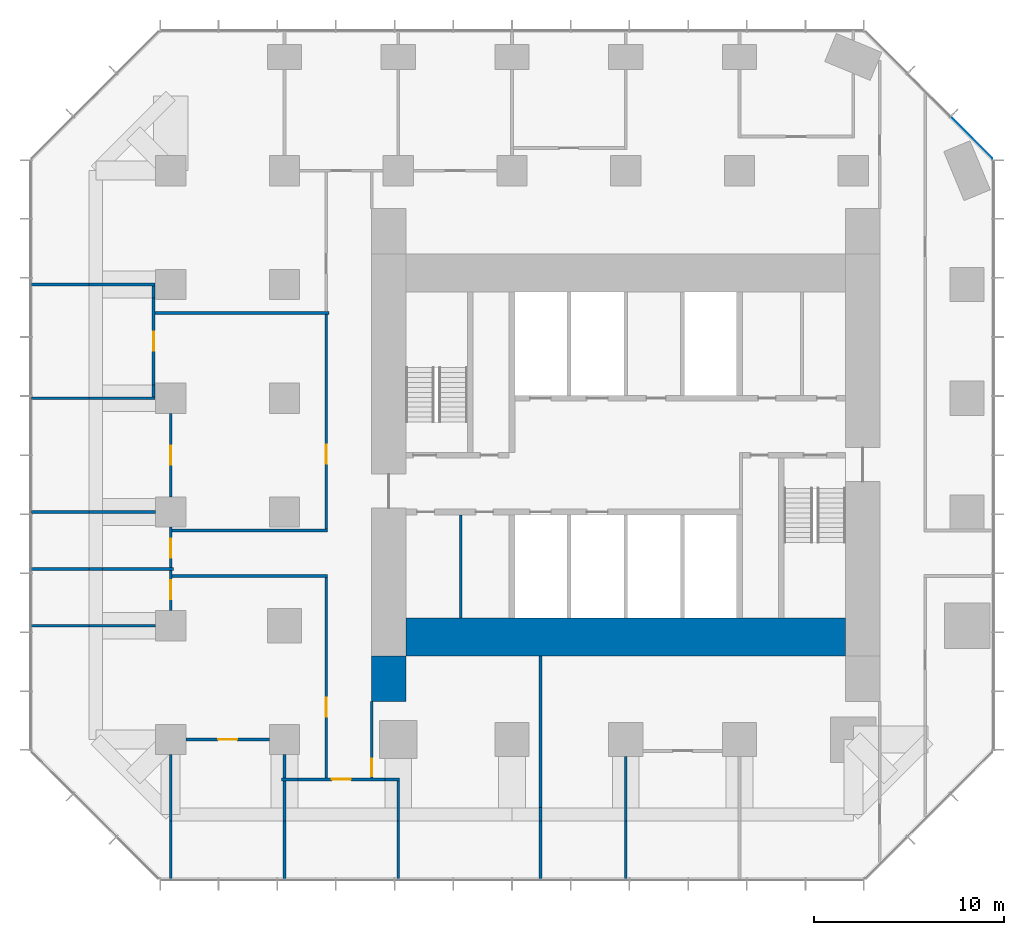
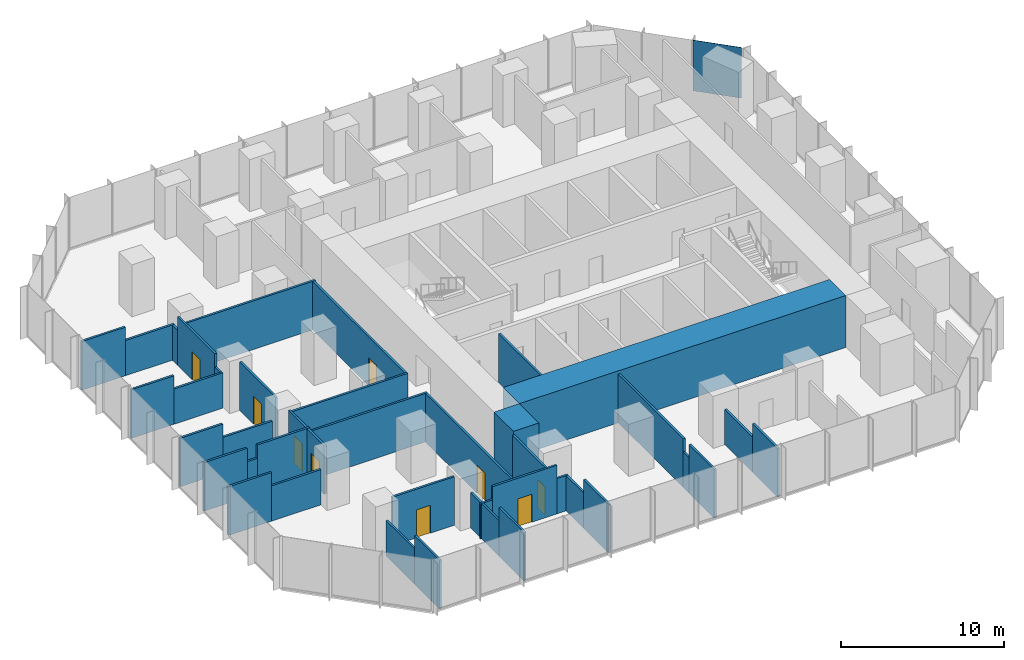
# One storey, part 8 of 11: 42 walls, 9 doors, 1 plate, 9 openings, 1 element without a shape of its own.
"""IFC4 building model written with IfcOpenShell, lengths in metres."""

from ifc_helpers import new_model, si_unit, direction, frame, frame_2d, origin, origin_2d, place, context, subcontext, project, spatial, rectangle, extrude, material, layer, layer_set, type_object, element, fill, aggregate, save


model = new_model("IFC4")

# Units and contexts
model_context = context("Model", 3, precision=1e-05, world=origin(), true_north=direction((0.0, 1.0)))
body_context = subcontext(model_context, "Body", "Model", "MODEL_VIEW")
ifc_project = project(units=[si_unit("LENGTHUNIT", "METRE"), si_unit("AREAUNIT", "SQUARE_METRE"), si_unit("VOLUMEUNIT", "CUBIC_METRE"), si_unit("PLANEANGLEUNIT", "RADIAN"), si_unit("MASSUNIT", "GRAM", prefix="KILO")], contexts=[model_context])

# Site, building, storey
site_placement = place(None, origin())
site = spatial("IfcSite", under=ifc_project, at=site_placement, CompositionType="ELEMENT")
building_placement = place(site_placement, origin())
building = spatial("IfcBuilding", under=site, at=building_placement, Name="Highveld Stack Headquarters", CompositionType="ELEMENT")
storey_placement = place(building_placement, frame((0.0, 0.0, 121.10009765625)))
storey = spatial("IfcBuildingStorey", under=building, at=storey_placement, Name="L29", CompositionType="ELEMENT", Elevation=121.10009765625)

# Curtain wall, plate
ifc_material_1 = material(Name="Aluminium bronze anodised", Category="aluminium")
ifc_layer_1 = layer(ifc_material_1, 0.199951171875)
ifc_layer_set_1 = layer_set([ifc_layer_1], Name="Aluminium bronze anodised")
curtain_wall_type = type_object("IfcCurtainWallType", Name="CW2 TOWER CHAMFER UNITISED CURTAIN WALL", PredefinedType="NOTDEFINED", material=ifc_layer_set_1)
curtain_wall_placement = place(storey_placement, origin())
curtain_wall = element("IfcCurtainWall", 1, at=curtain_wall_placement, inside=storey, type_object=curtain_wall_type, Name="Curtain wall CW2 L29 NE", PredefinedType="NOTDEFINED")
ifc_material_2 = material(Name="Glass bronze tinted double glazed unit", Category="glass")
ifc_layer_2 = layer(ifc_material_2, 0.028076171875)
ifc_layer_set_2 = layer_set([ifc_layer_2], Name="Glass bronze tinted double glazed unit")
plate_type = type_object("IfcPlateType", Name="CW2 PANEL BRONZE TINTED DOUBLE GLAZED UNIT", PredefinedType="CURTAIN_PANEL", material=ifc_layer_set_2)
plate_placement = place(storey_placement, frame((24.239501953125, 19.740478515625, 0.10009765625), z_axis=(0.0, 0.0, 1.0), x_axis=(-0.707106781187, 0.707106781187, 0.0)))
plate = element("IfcPlate", 2, at=plate_placement, type_object=plate_type, Name="CW2 panel L29 1.1", PredefinedType="CURTAIN_PANEL", context=body_context, shape_type="SweptSolid", body=[
    extrude(rectangle(XDim=3.08251953125, YDim=0.028076171875, at=origin_2d()), origin(), (0.0, 0.0, 1.0), 3.800048828125),
])
aggregate(curtain_wall, [plate])

# Walls
ifc_material_3 = material(Name="Concrete C60/75", Category="concrete")
ifc_layer_3 = layer(ifc_material_3, 2.0)
ifc_layer_set_3 = layer_set([ifc_layer_3], Name="Concrete C60/75")
wall_type_1 = type_object("IfcWallType", Name="CORE WALL 2000 C60/75", PredefinedType="SHEAR", material=ifc_layer_set_3)
wall_1_placement = place(storey_placement, frame((-5.60009765625, -6.60009765625, 0.0), z_axis=(0.0, 0.0, 1.0), x_axis=(1.0, 0.0, 0.0)))
element("IfcWall", 3, at=wall_1_placement, inside=storey, type_object=wall_type_1, Name="Core wall S L29", PredefinedType="SHEAR", context=body_context, shape_type="SweptSolid", body=[
    extrude(rectangle(XDim=23.2001953125, YDim=2.0, at=frame_2d((11.60009765625, 0.0))), origin(), (0.0, 0.0, 1.0), 3.89990234375),
])
ifc_material_4 = material(Name="Concrete C60/75", Category="concrete")
ifc_layer_4 = layer(ifc_material_4, 1.800048828125)
ifc_layer_set_4 = layer_set([ifc_layer_4], Name="Concrete C60/75")
wall_type_2 = type_object("IfcWallType", Name="CORE WING WALL 1800 C60/75", PredefinedType="SHEAR", material=ifc_layer_set_4)
wall_2_placement = place(storey_placement, frame((-6.5, -10.0, 0.0), z_axis=(0.0, 0.0, 1.0), x_axis=(0.0, 1.0, 0.0)))
element("IfcWall", 4, at=wall_2_placement, inside=storey, type_object=wall_type_2, Name="Core wing wall WS L29", PredefinedType="SHEAR", context=body_context, shape_type="SweptSolid", body=[
    extrude(rectangle(XDim=2.39990234375, YDim=1.800048828125, at=frame_2d((1.199951171875, 0.0))), origin(), (0.0, 0.0, 1.0), 3.89990234375),
])

# Wall, opening, door
ifc_material_5 = material(Name="Laminated glass in aluminium frame", Category="aluminium")
ifc_layer_5 = layer(ifc_material_5, 0.14990234375)
ifc_layer_set_5 = layer_set([ifc_layer_5], Name="Laminated glass in aluminium frame")
wall_type_3 = type_object("IfcWallType", Name="GLAZED PARTITION 150", PredefinedType="PARTITIONING", material=ifc_layer_set_5)
wall_3_placement = place(storey_placement, frame((-17.199951171875, -12.0, 0.0), z_axis=(0.0, 0.0, 1.0), x_axis=(1.0, 0.0, 0.0)))
wall_3 = element("IfcWall", 5, at=wall_3_placement, inside=storey, type_object=wall_type_3, Name="Glazed partition Meeting room L29", PredefinedType="PARTITIONING", context=body_context, shape_type="SweptSolid", body=[
    extrude(rectangle(XDim=4.39990234375, YDim=0.14990234375, at=frame_2d((2.199951171875, 0.0))), origin(), (0.0, 0.0, 1.0), 3.64990234375),
])
opening_1_placement = place(wall_3_placement, frame((1.699951171875, 0.0, 0.0)))
opening_1 = element("IfcOpeningElement", 6, at=opening_1_placement, cuts=wall_3, Name="Opening L29-12", PredefinedType="OPENING", context=body_context, shape_type="SweptSolid", body=[
    extrude(rectangle(XDim=1.0, YDim=2.10009765625, at=frame_2d((0.5, 1.050048828125))), frame((0.0, 0.0849609375, 0.0), z_axis=(0.0, -1.0, 0.0), x_axis=(1.0, 0.0, 0.0)), (0.0, 0.0, 1.0), 0.169921875),
])
ifc_material_6 = material(Name="Timber door, oiled ash", Category="wood")
door_type_1 = type_object("IfcDoorType", Name="ROOM DOOR D6 1000x2100", OperationType="SINGLE_SWING_LEFT", PredefinedType="DOOR", material=ifc_material_6)
door_1_placement = place(opening_1_placement, origin())
door_1 = element("IfcDoor", 7, at=door_1_placement, inside=storey, type_object=door_type_1, Name="Meeting room door 1 L29", OperationType="SINGLE_SWING_RIGHT", OverallHeight=2.10009765625, OverallWidth=1.0, PredefinedType="DOOR", context=body_context, shape_type="SweptSolid", body=[
    extrude(rectangle(XDim=1.0, YDim=2.10009765625, at=frame_2d((0.5, 1.050048828125))), frame((0.0, 0.02490234375, 0.0), z_axis=(0.0, -1.0, 0.0), x_axis=(1.0, 0.0, 0.0)), (0.0, 0.0, 1.0), 0.050048828125),
])
fill(opening_1, door_1)

wall_4_placement = place(storey_placement, frame((-18.0, 0.800048828125, 0.0), z_axis=(0.0, 0.0, 1.0), x_axis=(0.0, 1.0, 0.0)))
wall_4 = element("IfcWall", 8, at=wall_4_placement, inside=storey, type_object=wall_type_3, Name="Glazed partition Meeting room L29", PredefinedType="PARTITIONING", context=body_context, shape_type="SweptSolid", body=[
    extrude(rectangle(XDim=4.39990234375, YDim=0.14990234375, at=frame_2d((2.199951171875, 0.0))), origin(), (0.0, 0.0, 1.0), 3.64990234375),
])
opening_2_placement = place(wall_4_placement, frame((1.699951171875, 0.0, 0.0)))
opening_2 = element("IfcOpeningElement", 9, at=opening_2_placement, cuts=wall_4, Name="Opening L29-17", PredefinedType="OPENING", context=body_context, shape_type="SweptSolid", body=[
    extrude(rectangle(XDim=1.0, YDim=2.10009765625, at=frame_2d((0.5, 1.050048828125))), frame((0.0, 0.0849609375, 0.0), z_axis=(0.0, -1.0, 0.0), x_axis=(1.0, 0.0, 0.0)), (0.0, 0.0, 1.0), 0.169921875),
])
door_2_placement = place(opening_2_placement, origin())
door_2 = element("IfcDoor", 10, at=door_2_placement, inside=storey, type_object=door_type_1, Name="Meeting room door 1 L29", OperationType="SINGLE_SWING_LEFT", OverallHeight=2.10009765625, OverallWidth=1.0, PredefinedType="DOOR", context=body_context, shape_type="SweptSolid", body=[
    extrude(rectangle(XDim=1.0, YDim=2.10009765625, at=frame_2d((0.5, 1.050048828125))), frame((0.0, 0.02490234375, 0.0), z_axis=(0.0, -1.0, 0.0), x_axis=(1.0, 0.0, 0.0)), (0.0, 0.0, 1.0), 0.050048828125),
])
fill(opening_2, door_2)

# Wall
ifc_material_7 = material(Name="Gypsum plasterboard on steel studs", Category="steel")
ifc_layer_6 = layer(ifc_material_7, 0.14990234375)
ifc_layer_set_6 = layer_set([ifc_layer_6], Name="Gypsum plasterboard on steel studs")
wall_type_4 = type_object("IfcWallType", Name="PARTITION 150 PLASTERBOARD", PredefinedType="PARTITIONING", material=ifc_layer_set_6)
wall_5_placement = place(storey_placement, frame((-12.14990234375, -14.10009765625, 0.0), z_axis=(0.0, 0.0, 1.0), x_axis=(1.0, 0.0, 0.0)))
element("IfcWall", 11, at=wall_5_placement, inside=storey, type_object=wall_type_4, Name="Partition Focus room L29", PredefinedType="PARTITIONING", context=body_context, shape_type="SweptSolid", body=[
    extrude(rectangle(XDim=0.85986328125, YDim=0.14990234375, at=frame_2d((0.429931640625, 0.0))), origin(), (0.0, 0.0, 1.0), 2.64990234375),
])

# Wall, opening, door
wall_6_placement = place(storey_placement, frame((-11.2900390625, -14.10009765625, 0.0), z_axis=(0.0, 0.0, 1.0), x_axis=(1.0, 0.0, 0.0)))
wall_6 = element("IfcWall", 12, at=wall_6_placement, inside=storey, type_object=wall_type_4, Name="Partition Focus room L29", PredefinedType="PARTITIONING", context=body_context, shape_type="SweptSolid", body=[
    extrude(rectangle(XDim=4.580078125, YDim=0.14990234375, at=frame_2d((2.2900390625, 0.0))), origin(), (0.0, 0.0, 1.0), 3.64990234375),
])
opening_3_placement = place(wall_6_placement, frame((1.7900390625, 0.0, 0.0)))
opening_3 = element("IfcOpeningElement", 13, at=opening_3_placement, cuts=wall_6, Name="Opening L29-13", PredefinedType="OPENING", context=body_context, shape_type="SweptSolid", body=[
    extrude(rectangle(XDim=1.0, YDim=2.10009765625, at=frame_2d((0.5, 1.050048828125))), frame((0.0, 0.0849609375, 0.0), z_axis=(0.0, -1.0, 0.0), x_axis=(1.0, 0.0, 0.0)), (0.0, 0.0, 1.0), 0.169921875),
])
door_3_placement = place(opening_3_placement, origin())
door_3 = element("IfcDoor", 14, at=door_3_placement, inside=storey, type_object=door_type_1, Name="Focus room door 1 L29", OperationType="SINGLE_SWING_RIGHT", OverallHeight=2.10009765625, OverallWidth=1.0, PredefinedType="DOOR", context=body_context, shape_type="SweptSolid", body=[
    extrude(rectangle(XDim=1.0, YDim=2.10009765625, at=frame_2d((0.5, 1.050048828125))), frame((0.0, 0.02490234375, 0.0), z_axis=(0.0, -1.0, 0.0), x_axis=(1.0, 0.0, 0.0)), (0.0, 0.0, 1.0), 0.050048828125),
])
fill(opening_3, door_3)

# Walls
wall_7_placement = place(storey_placement, frame((-6.7099609375, -14.10009765625, 0.0), z_axis=(0.0, 0.0, 1.0), x_axis=(1.0, 0.0, 0.0)))
element("IfcWall", 15, at=wall_7_placement, inside=storey, type_object=wall_type_4, Name="Partition Focus room L29", PredefinedType="PARTITIONING", context=body_context, shape_type="SweptSolid", body=[
    extrude(rectangle(XDim=0.784912109375, YDim=0.14990234375, at=frame_2d((0.392578125, 0.0))), origin(), (0.0, 0.0, 1.0), 2.64990234375),
])
wall_8_placement = place(storey_placement, frame((-25.39990234375, -6.0, 0.0), z_axis=(0.0, 0.0, 1.0), x_axis=(1.0, 0.0, 0.0)))
element("IfcWall", 16, at=wall_8_placement, inside=storey, type_object=wall_type_4, Name="Partition Office L29", PredefinedType="PARTITIONING", context=body_context, shape_type="SweptSolid", body=[
    extrude(rectangle(XDim=3.08984375, YDim=0.14990234375, at=frame_2d((1.544921875, 0.0))), origin(), (0.0, 0.0, 1.0), 3.64990234375),
])
wall_9_placement = place(storey_placement, frame((-22.31005859375, -6.0, 0.0), z_axis=(0.0, 0.0, 1.0), x_axis=(1.0, 0.0, 0.0)))
element("IfcWall", 17, at=wall_9_placement, inside=storey, type_object=wall_type_4, Name="Partition Office L29", PredefinedType="PARTITIONING", context=body_context, shape_type="SweptSolid", body=[
    extrude(rectangle(XDim=3.510009765625, YDim=0.14990234375, at=frame_2d((1.7548828125, 0.0))), origin(), (0.0, 0.0, 1.0), 2.64990234375),
])
wall_10_placement = place(storey_placement, frame((-25.39990234375, -3.0, 0.0), z_axis=(0.0, 0.0, 1.0), x_axis=(1.0, 0.0, 0.0)))
element("IfcWall", 18, at=wall_10_placement, inside=storey, type_object=wall_type_4, Name="Partition Office L29", PredefinedType="PARTITIONING", context=body_context, shape_type="SweptSolid", body=[
    extrude(rectangle(XDim=3.08984375, YDim=0.14990234375, at=frame_2d((1.544921875, 0.0))), origin(), (0.0, 0.0, 1.0), 3.64990234375),
])
wall_11_placement = place(storey_placement, frame((-22.31005859375, -3.0, 0.0), z_axis=(0.0, 0.0, 1.0), x_axis=(1.0, 0.0, 0.0)))
element("IfcWall", 19, at=wall_11_placement, inside=storey, type_object=wall_type_4, Name="Partition Office L29", PredefinedType="PARTITIONING", context=body_context, shape_type="SweptSolid", body=[
    extrude(rectangle(XDim=0.719970703125, YDim=0.14990234375, at=frame_2d((0.35986328125, 0.0))), origin(), (0.0, 0.0, 1.0), 2.64990234375),
])
wall_12_placement = place(storey_placement, frame((-21.590087890625, -3.0, 0.0), z_axis=(0.0, 0.0, 1.0), x_axis=(1.0, 0.0, 0.0)))
element("IfcWall", 20, at=wall_12_placement, inside=storey, type_object=wall_type_4, Name="Partition Office L29", PredefinedType="PARTITIONING", context=body_context, shape_type="SweptSolid", body=[
    extrude(rectangle(XDim=3.739990234375, YDim=0.14990234375, at=frame_2d((1.8701171875, 0.0))), origin(), (0.0, 0.0, 1.0), 3.64990234375),
])
wall_13_placement = place(storey_placement, frame((-25.35009765625, 0.0, 0.0), z_axis=(0.0, 0.0, 1.0), x_axis=(1.0, 0.0, 0.0)))
element("IfcWall", 21, at=wall_13_placement, inside=storey, type_object=wall_type_4, Name="Partition Meeting room / Office L29", PredefinedType="PARTITIONING", context=body_context, shape_type="SweptSolid", body=[
    extrude(rectangle(XDim=3.0400390625, YDim=0.14990234375, at=frame_2d((1.52001953125, 0.0))), origin(), (0.0, 0.0, 1.0), 3.64990234375),
])
wall_14_placement = place(storey_placement, frame((-22.31005859375, 0.0, 0.0), z_axis=(0.0, 0.0, 1.0), x_axis=(1.0, 0.0, 0.0)))
element("IfcWall", 22, at=wall_14_placement, inside=storey, type_object=wall_type_4, Name="Partition Meeting room / Office L29", PredefinedType="PARTITIONING", context=body_context, shape_type="SweptSolid", body=[
    extrude(rectangle(XDim=3.510009765625, YDim=0.14990234375, at=frame_2d((1.7548828125, 0.0))), origin(), (0.0, 0.0, 1.0), 2.64990234375),
])
wall_15_placement = place(storey_placement, frame((-25.35009765625, 6.0, 0.0), z_axis=(0.0, 0.0, 1.0), x_axis=(1.0, 0.0, 0.0)))
element("IfcWall", 23, at=wall_15_placement, inside=storey, type_object=wall_type_4, Name="Partition Interview room / Meeting room L29", PredefinedType="PARTITIONING", context=body_context, shape_type="SweptSolid", body=[
    extrude(rectangle(XDim=3.0400390625, YDim=0.14990234375, at=frame_2d((1.52001953125, 0.0))), origin(), (0.0, 0.0, 1.0), 3.64990234375),
])
wall_16_placement = place(storey_placement, frame((-22.31005859375, 6.0, 0.0), z_axis=(0.0, 0.0, 1.0), x_axis=(1.0, 0.0, 0.0)))
element("IfcWall", 24, at=wall_16_placement, inside=storey, type_object=wall_type_4, Name="Partition Interview room / Meeting room L29", PredefinedType="PARTITIONING", context=body_context, shape_type="SweptSolid", body=[
    extrude(rectangle(XDim=3.485107421875, YDim=0.14990234375, at=frame_2d((1.74267578125, 0.0))), origin(), (0.0, 0.0, 1.0), 2.64990234375),
])
wall_17_placement = place(storey_placement, frame((-25.39990234375, 12.0, 0.0), z_axis=(0.0, 0.0, 1.0), x_axis=(1.0, 0.0, 0.0)))
element("IfcWall", 25, at=wall_17_placement, inside=storey, type_object=wall_type_4, Name="Partition Interview room L29", PredefinedType="PARTITIONING", context=body_context, shape_type="SweptSolid", body=[
    extrude(rectangle(XDim=3.08984375, YDim=0.14990234375, at=frame_2d((1.544921875, 0.0))), origin(), (0.0, 0.0, 1.0), 3.64990234375),
])
wall_18_placement = place(storey_placement, frame((-22.31005859375, 12.0, 0.0), z_axis=(0.0, 0.0, 1.0), x_axis=(1.0, 0.0, 0.0)))
element("IfcWall", 26, at=wall_18_placement, inside=storey, type_object=wall_type_4, Name="Partition Interview room L29", PredefinedType="PARTITIONING", context=body_context, shape_type="SweptSolid", body=[
    extrude(rectangle(XDim=3.485107421875, YDim=0.14990234375, at=frame_2d((1.74267578125, 0.0))), origin(), (0.0, 0.0, 1.0), 2.64990234375),
])
wall_19_placement = place(storey_placement, frame((-18.89990234375, 6.074951171875, 0.0), z_axis=(0.0, 0.0, 1.0), x_axis=(0.0, 1.0, 0.0)))
element("IfcWall", 27, at=wall_19_placement, inside=storey, type_object=wall_type_4, Name="Partition Interview room L29", PredefinedType="PARTITIONING", context=body_context, shape_type="SweptSolid", body=[
    extrude(rectangle(XDim=0.635009765625, YDim=0.14990234375, at=frame_2d((0.3173828125, 0.0))), origin(), (0.0, 0.0, 1.0), 2.64990234375),
])

# Wall, opening, door
wall_20_placement = place(storey_placement, frame((-18.89990234375, 6.7099609375, 0.0), z_axis=(0.0, 0.0, 1.0), x_axis=(0.0, 1.0, 0.0)))
wall_20 = element("IfcWall", 28, at=wall_20_placement, inside=storey, type_object=wall_type_4, Name="Partition Interview room L29", PredefinedType="PARTITIONING", context=body_context, shape_type="SweptSolid", body=[
    extrude(rectangle(XDim=4.580078125, YDim=0.14990234375, at=frame_2d((2.2900390625, 0.0))), origin(), (0.0, 0.0, 1.0), 3.64990234375),
])
opening_4_placement = place(wall_20_placement, frame((1.7900390625, 0.0, 0.0)))
opening_4 = element("IfcOpeningElement", 29, at=opening_4_placement, cuts=wall_20, Name="Opening L29-18", PredefinedType="OPENING", context=body_context, shape_type="SweptSolid", body=[
    extrude(rectangle(XDim=1.0, YDim=2.10009765625, at=frame_2d((0.5, 1.050048828125))), frame((0.0, 0.0849609375, 0.0), z_axis=(0.0, -1.0, 0.0), x_axis=(1.0, 0.0, 0.0)), (0.0, 0.0, 1.0), 0.169921875),
])
door_4_placement = place(opening_4_placement, origin())
door_4 = element("IfcDoor", 30, at=door_4_placement, inside=storey, type_object=door_type_1, Name="Interview room door 1 L29", OperationType="SINGLE_SWING_LEFT", OverallHeight=2.10009765625, OverallWidth=1.0, PredefinedType="DOOR", context=body_context, shape_type="SweptSolid", body=[
    extrude(rectangle(XDim=1.0, YDim=2.10009765625, at=frame_2d((0.5, 1.050048828125))), frame((0.0, 0.02490234375, 0.0), z_axis=(0.0, -1.0, 0.0), x_axis=(1.0, 0.0, 0.0)), (0.0, 0.0, 1.0), 0.050048828125),
])
fill(opening_4, door_4)

# Walls
wall_21_placement = place(storey_placement, frame((-18.89990234375, 11.2900390625, 0.0), z_axis=(0.0, 0.0, 1.0), x_axis=(0.0, 1.0, 0.0)))
element("IfcWall", 31, at=wall_21_placement, inside=storey, type_object=wall_type_4, Name="Partition Interview room L29", PredefinedType="PARTITIONING", context=body_context, shape_type="SweptSolid", body=[
    extrude(rectangle(XDim=0.635009765625, YDim=0.14990234375, at=frame_2d((0.3173828125, 0.0))), origin(), (0.0, 0.0, 1.0), 2.64990234375),
])
wall_22_placement = place(storey_placement, frame((-18.0, -19.39990234375, 0.0), z_axis=(0.0, 0.0, 1.0), x_axis=(0.0, 1.0, 0.0)))
element("IfcWall", 32, at=wall_22_placement, inside=storey, type_object=wall_type_4, Name="Partition Meeting room L29", PredefinedType="PARTITIONING", context=body_context, shape_type="SweptSolid", body=[
    extrude(rectangle(XDim=3.08984375, YDim=0.14990234375, at=frame_2d((1.544921875, 0.0))), origin(), (0.0, 0.0, 1.0), 3.64990234375),
])
wall_23_placement = place(storey_placement, frame((-18.0, -16.31005859375, 0.0), z_axis=(0.0, 0.0, 1.0), x_axis=(0.0, 1.0, 0.0)))
element("IfcWall", 33, at=wall_23_placement, inside=storey, type_object=wall_type_4, Name="Partition Meeting room L29", PredefinedType="PARTITIONING", context=body_context, shape_type="SweptSolid", body=[
    extrude(rectangle(XDim=3.510009765625, YDim=0.14990234375, at=frame_2d((1.7548828125, 0.0))), origin(), (0.0, 0.0, 1.0), 2.64990234375),
])

# Wall, opening, door
wall_24_placement = place(storey_placement, frame((-18.0, -5.199951171875, 0.0), z_axis=(0.0, 0.0, 1.0), x_axis=(0.0, 1.0, 0.0)))
wall_24 = element("IfcWall", 34, at=wall_24_placement, inside=storey, type_object=wall_type_4, Name="Partition Office L29", PredefinedType="PARTITIONING", context=body_context, shape_type="SweptSolid", body=[
    extrude(rectangle(XDim=2.125, YDim=0.14990234375, at=frame_2d((1.0625, 0.0))), origin(), (0.0, 0.0, 1.0), 3.64990234375),
])
opening_5_placement = place(wall_24_placement, frame((0.60009765625, 0.0, 0.0)))
opening_5 = element("IfcOpeningElement", 35, at=opening_5_placement, cuts=wall_24, Name="Opening L29-15", PredefinedType="OPENING", context=body_context, shape_type="SweptSolid", body=[
    extrude(rectangle(XDim=1.0, YDim=2.10009765625, at=frame_2d((0.5, 1.050048828125))), frame((0.0, 0.0849609375, 0.0), z_axis=(0.0, -1.0, 0.0), x_axis=(1.0, 0.0, 0.0)), (0.0, 0.0, 1.0), 0.169921875),
])
door_5_placement = place(opening_5_placement, origin())
door_5 = element("IfcDoor", 36, at=door_5_placement, inside=storey, type_object=door_type_1, Name="Office door 1 L29", OperationType="SINGLE_SWING_RIGHT", OverallHeight=2.10009765625, OverallWidth=1.0, PredefinedType="DOOR", context=body_context, shape_type="SweptSolid", body=[
    extrude(rectangle(XDim=1.0, YDim=2.10009765625, at=frame_2d((0.5, 1.050048828125))), frame((0.0, 0.02490234375, 0.0), z_axis=(0.0, -1.0, 0.0), x_axis=(1.0, 0.0, 0.0)), (0.0, 0.0, 1.0), 0.050048828125),
])
fill(opening_5, door_5)

wall_25_placement = place(storey_placement, frame((-18.0, -2.925048828125, 0.0), z_axis=(0.0, 0.0, 1.0), x_axis=(0.0, 1.0, 0.0)))
wall_25 = element("IfcWall", 37, at=wall_25_placement, inside=storey, type_object=wall_type_4, Name="Partition Office L29", PredefinedType="PARTITIONING", context=body_context, shape_type="SweptSolid", body=[
    extrude(rectangle(XDim=2.125, YDim=0.14990234375, at=frame_2d((1.0625, 0.0))), origin(), (0.0, 0.0, 1.0), 3.64990234375),
])
opening_6_placement = place(wall_25_placement, frame((0.52490234375, 0.0, 0.0)))
opening_6 = element("IfcOpeningElement", 38, at=opening_6_placement, cuts=wall_25, Name="Opening L29-16", PredefinedType="OPENING", context=body_context, shape_type="SweptSolid", body=[
    extrude(rectangle(XDim=1.0, YDim=2.10009765625, at=frame_2d((0.5, 1.050048828125))), frame((0.0, 0.0849609375, 0.0), z_axis=(0.0, -1.0, 0.0), x_axis=(1.0, 0.0, 0.0)), (0.0, 0.0, 1.0), 0.169921875),
])
door_6_placement = place(opening_6_placement, origin())
door_6 = element("IfcDoor", 39, at=door_6_placement, inside=storey, type_object=door_type_1, Name="Office door 1 L29", OperationType="SINGLE_SWING_LEFT", OverallHeight=2.10009765625, OverallWidth=1.0, PredefinedType="DOOR", context=body_context, shape_type="SweptSolid", body=[
    extrude(rectangle(XDim=1.0, YDim=2.10009765625, at=frame_2d((0.5, 1.050048828125))), frame((0.0, 0.02490234375, 0.0), z_axis=(0.0, -1.0, 0.0), x_axis=(1.0, 0.0, 0.0)), (0.0, 0.0, 1.0), 0.050048828125),
])
fill(opening_6, door_6)

# Walls
wall_26_placement = place(storey_placement, frame((-12.0, -19.39990234375, 0.0), z_axis=(0.0, 0.0, 1.0), x_axis=(0.0, 1.0, 0.0)))
element("IfcWall", 40, at=wall_26_placement, inside=storey, type_object=wall_type_4, Name="Partition Focus room / Meeting room L29", PredefinedType="PARTITIONING", context=body_context, shape_type="SweptSolid", body=[
    extrude(rectangle(XDim=3.08984375, YDim=0.14990234375, at=frame_2d((1.544921875, 0.0))), origin(), (0.0, 0.0, 1.0), 3.64990234375),
])
wall_27_placement = place(storey_placement, frame((-12.0, -16.31005859375, 0.0), z_axis=(0.0, 0.0, 1.0), x_axis=(0.0, 1.0, 0.0)))
element("IfcWall", 41, at=wall_27_placement, inside=storey, type_object=wall_type_4, Name="Partition Focus room / Meeting room L29", PredefinedType="PARTITIONING", context=body_context, shape_type="SweptSolid", body=[
    extrude(rectangle(XDim=2.135009765625, YDim=0.14990234375, at=frame_2d((1.0673828125, 0.0))), origin(), (0.0, 0.0, 1.0), 2.64990234375),
])
wall_28_placement = place(storey_placement, frame((-12.0, -14.02490234375, 0.0), z_axis=(0.0, 0.0, 1.0), x_axis=(0.0, 1.0, 0.0)))
element("IfcWall", 42, at=wall_28_placement, inside=storey, type_object=wall_type_4, Name="Partition Meeting room L29", PredefinedType="PARTITIONING", context=body_context, shape_type="SweptSolid", body=[
    extrude(rectangle(XDim=1.224853515625, YDim=0.14990234375, at=frame_2d((0.6123046875, 0.0))), origin(), (0.0, 0.0, 1.0), 2.64990234375),
])
wall_29_placement = place(storey_placement, frame((-6.0, -19.39990234375, 0.0), z_axis=(0.0, 0.0, 1.0), x_axis=(0.0, 1.0, 0.0)))
element("IfcWall", 43, at=wall_29_placement, inside=storey, type_object=wall_type_4, Name="Partition Focus room L29", PredefinedType="PARTITIONING", context=body_context, shape_type="SweptSolid", body=[
    extrude(rectangle(XDim=3.08984375, YDim=0.14990234375, at=frame_2d((1.544921875, 0.0))), origin(), (0.0, 0.0, 1.0), 3.64990234375),
])
wall_30_placement = place(storey_placement, frame((-6.0, -16.31005859375, 0.0), z_axis=(0.0, 0.0, 1.0), x_axis=(0.0, 1.0, 0.0)))
element("IfcWall", 44, at=wall_30_placement, inside=storey, type_object=wall_type_4, Name="Partition Focus room L29", PredefinedType="PARTITIONING", context=body_context, shape_type="SweptSolid", body=[
    extrude(rectangle(XDim=2.135009765625, YDim=0.14990234375, at=frame_2d((1.0673828125, 0.0))), origin(), (0.0, 0.0, 1.0), 2.64990234375),
])
wall_31_placement = place(storey_placement, frame((6.0, -19.39990234375, 0.0), z_axis=(0.0, 0.0, 1.0), x_axis=(0.0, 1.0, 0.0)))
element("IfcWall", 45, at=wall_31_placement, inside=storey, type_object=wall_type_4, Name="Partition Video conference room L29", PredefinedType="PARTITIONING", context=body_context, shape_type="SweptSolid", body=[
    extrude(rectangle(XDim=3.08984375, YDim=0.14990234375, at=frame_2d((1.544921875, 0.0))), origin(), (0.0, 0.0, 1.0), 3.64990234375),
])
wall_32_placement = place(storey_placement, frame((6.0, -16.31005859375, 0.0), z_axis=(0.0, 0.0, 1.0), x_axis=(0.0, 1.0, 0.0)))
element("IfcWall", 46, at=wall_32_placement, inside=storey, type_object=wall_type_4, Name="Partition Video conference room L29", PredefinedType="PARTITIONING", context=body_context, shape_type="SweptSolid", body=[
    extrude(rectangle(XDim=3.41015625, YDim=0.14990234375, at=frame_2d((1.705078125, 0.0))), origin(), (0.0, 0.0, 1.0), 2.64990234375),
])
wall_33_placement = place(storey_placement, frame((-18.824951171875, 10.5, 0.0), z_axis=(0.0, 0.0, 1.0), x_axis=(1.0, 0.0, 0.0)))
element("IfcWall", 47, at=wall_33_placement, inside=storey, type_object=wall_type_4, Name="Partition office neighbourhood L29", PredefinedType="PARTITIONING", context=body_context, shape_type="SweptSolid", body=[
    extrude(rectangle(XDim=9.175048828125, YDim=0.14990234375, at=frame_2d((4.58740234375, 0.0))), origin(), (0.0, 0.0, 1.0), 3.64990234375),
])
for number, where, z_axis, x_axis, name in (
    (48, (-17.925048828125, -3.375, 0.0), (0.0, 0.0, 1.0), (1.0, 0.0, 0.0), "Partition office neighbourhood L29"),
    (49, (-17.925048828125, -0.97509765625, 0.0), (0.0, 0.0, 1.0), (1.0, 0.0, 0.0), "Partition office neighbourhood L29"),
):
    element("IfcWall", number, at=place(storey_placement, frame(where, z_axis=z_axis, x_axis=x_axis)), inside=storey, type_object=wall_type_4, Name=name, PredefinedType="PARTITIONING", context=body_context, shape_type="SweptSolid", body=[
        extrude(rectangle(XDim=8.199951171875, YDim=0.14990234375, at=frame_2d((4.10009765625, 0.0))), origin(), (0.0, 0.0, 1.0), 3.64990234375),
    ])

# Wall, opening, door
wall_34_placement = place(storey_placement, frame((-9.800048828125, -14.02490234375, 0.0), z_axis=(0.0, 0.0, 1.0), x_axis=(0.0, 1.0, 0.0)))
wall_34 = element("IfcWall", 50, at=wall_34_placement, inside=storey, type_object=wall_type_4, Name="Partition office neighbourhood L29", PredefinedType="PARTITIONING", context=body_context, shape_type="SweptSolid", body=[
    extrude(rectangle(XDim=10.574951171875, YDim=0.14990234375, at=frame_2d((5.28759765625, 0.0))), origin(), (0.0, 0.0, 1.0), 3.64990234375),
])
opening_7_placement = place(wall_34_placement, frame((3.22802734375, 0.0, 0.0)))
opening_7 = element("IfcOpeningElement", 51, at=opening_7_placement, cuts=wall_34, Name="Opening L29-24", PredefinedType="OPENING", context=body_context, shape_type="SweptSolid", body=[
    extrude(rectangle(XDim=1.0, YDim=2.10009765625, at=frame_2d((0.5, 1.050048828125))), frame((0.0, 0.0849609375, 0.0), z_axis=(0.0, -1.0, 0.0), x_axis=(1.0, 0.0, 0.0)), (0.0, 0.0, 1.0), 0.169921875),
])
door_7_placement = place(opening_7_placement, origin())
door_7 = element("IfcDoor", 52, at=door_7_placement, inside=storey, type_object=door_type_1, Name="Office neighbourhood door L29", OperationType="SINGLE_SWING_LEFT", OverallHeight=2.10009765625, OverallWidth=1.0, PredefinedType="DOOR", context=body_context, shape_type="SweptSolid", body=[
    extrude(rectangle(XDim=1.0, YDim=2.10009765625, at=frame_2d((0.5, 1.050048828125))), frame((0.0, 0.02490234375, 0.0), z_axis=(0.0, -1.0, 0.0), x_axis=(1.0, 0.0, 0.0)), (0.0, 0.0, 1.0), 0.050048828125),
])
fill(opening_7, door_7)

wall_35_placement = place(storey_placement, frame((-9.800048828125, -0.89990234375, 0.0), z_axis=(0.0, 0.0, 1.0), x_axis=(0.0, 1.0, 0.0)))
wall_35 = element("IfcWall", 53, at=wall_35_placement, inside=storey, type_object=wall_type_4, Name="Partition office neighbourhood L29", PredefinedType="PARTITIONING", context=body_context, shape_type="SweptSolid", body=[
    extrude(rectangle(XDim=11.324951171875, YDim=0.14990234375, at=frame_2d((5.66259765625, 0.0))), origin(), (0.0, 0.0, 1.0), 3.64990234375),
])
opening_8_placement = place(wall_35_placement, frame((3.44091796875, 0.0, 0.0)))
opening_8 = element("IfcOpeningElement", 54, at=opening_8_placement, cuts=wall_35, Name="Opening L29-26", PredefinedType="OPENING", context=body_context, shape_type="SweptSolid", body=[
    extrude(rectangle(XDim=1.0, YDim=2.10009765625, at=frame_2d((0.5, 1.050048828125))), frame((0.0, 0.0849609375, 0.0), z_axis=(0.0, -1.0, 0.0), x_axis=(1.0, 0.0, 0.0)), (0.0, 0.0, 1.0), 0.169921875),
])
door_8_placement = place(opening_8_placement, origin())
door_8 = element("IfcDoor", 55, at=door_8_placement, inside=storey, type_object=door_type_1, Name="Office neighbourhood door L29", OperationType="SINGLE_SWING_LEFT", OverallHeight=2.10009765625, OverallWidth=1.0, PredefinedType="DOOR", context=body_context, shape_type="SweptSolid", body=[
    extrude(rectangle(XDim=1.0, YDim=2.10009765625, at=frame_2d((0.5, 1.050048828125))), frame((0.0, 0.02490234375, 0.0), z_axis=(0.0, -1.0, 0.0), x_axis=(1.0, 0.0, 0.0)), (0.0, 0.0, 1.0), 0.050048828125),
])
fill(opening_8, door_8)

wall_36_placement = place(storey_placement, frame((-7.39990234375, -14.02490234375, 0.0), z_axis=(0.0, 0.0, 1.0), x_axis=(0.0, 1.0, 0.0)))
wall_36 = element("IfcWall", 56, at=wall_36_placement, inside=storey, type_object=wall_type_4, Name="Partition office neighbourhood L29", PredefinedType="PARTITIONING", context=body_context, shape_type="SweptSolid", body=[
    extrude(rectangle(XDim=4.02490234375, YDim=0.14990234375, at=frame_2d((2.012451171875, 0.0))), origin(), (0.0, 0.0, 1.0), 3.64990234375),
])
opening_9_placement = place(wall_36_placement, frame((0.10009765625, 0.0, 0.0)))
opening_9 = element("IfcOpeningElement", 57, at=opening_9_placement, cuts=wall_36, Name="Opening L29-30", PredefinedType="OPENING", context=body_context, shape_type="SweptSolid", body=[
    extrude(rectangle(XDim=0.89990234375, YDim=2.10009765625, at=frame_2d((0.449951171875, 1.050048828125))), frame((0.0, 0.0849609375, 0.0), z_axis=(0.0, -1.0, 0.0), x_axis=(1.0, 0.0, 0.0)), (0.0, 0.0, 1.0), 0.169921875),
])
ifc_material_8 = material(Name="Timber door, oiled ash", Category="wood")
door_type_2 = type_object("IfcDoorType", Name="ROOM DOOR D15 900x2100", OperationType="SINGLE_SWING_LEFT", PredefinedType="DOOR", material=ifc_material_8)
door_9_placement = place(opening_9_placement, origin())
door_9 = element("IfcDoor", 58, at=door_9_placement, inside=storey, type_object=door_type_2, Name="Office neighbourhood door L29", OperationType="SINGLE_SWING_LEFT", OverallHeight=2.10009765625, OverallWidth=0.89990234375, PredefinedType="DOOR", context=body_context, shape_type="SweptSolid", body=[
    extrude(rectangle(XDim=0.89990234375, YDim=2.10009765625, at=frame_2d((0.449951171875, 1.050048828125))), frame((0.0, 0.02490234375, 0.0), z_axis=(0.0, -1.0, 0.0), x_axis=(1.0, 0.0, 0.0)), (0.0, 0.0, 1.0), 0.050048828125),
])
fill(opening_9, door_9)

# Walls
wall_37_placement = place(storey_placement, frame((1.5, -19.39990234375, 0.0), z_axis=(0.0, 0.0, 1.0), x_axis=(0.0, 1.0, 0.0)))
element("IfcWall", 59, at=wall_37_placement, inside=storey, type_object=wall_type_4, Name="Partition office neighbourhood L29", PredefinedType="PARTITIONING", context=body_context, shape_type="SweptSolid", body=[
    extrude(rectangle(XDim=3.08984375, YDim=0.14990234375, at=frame_2d((1.544921875, 0.0))), origin(), (0.0, 0.0, 1.0), 3.64990234375),
])
wall_38_placement = place(storey_placement, frame((1.5, -16.31005859375, 0.0), z_axis=(0.0, 0.0, 1.0), x_axis=(0.0, 1.0, 0.0)))
element("IfcWall", 60, at=wall_38_placement, inside=storey, type_object=wall_type_4, Name="Partition office neighbourhood L29", PredefinedType="PARTITIONING", context=body_context, shape_type="SweptSolid", body=[
    extrude(rectangle(XDim=0.719970703125, YDim=0.14990234375, at=frame_2d((0.35986328125, 0.0))), origin(), (0.0, 0.0, 1.0), 2.64990234375),
])
wall_39_placement = place(storey_placement, frame((1.5, -15.590087890625, 0.0), z_axis=(0.0, 0.0, 1.0), x_axis=(0.0, 1.0, 0.0)))
element("IfcWall", 61, at=wall_39_placement, inside=storey, type_object=wall_type_4, Name="Partition office neighbourhood L29", PredefinedType="PARTITIONING", context=body_context, shape_type="SweptSolid", body=[
    extrude(rectangle(XDim=7.989990234375, YDim=0.14990234375, at=frame_2d((3.9951171875, 0.0))), origin(), (0.0, 0.0, 1.0), 3.64990234375),
])
ifc_material_9 = material(Name="Concrete blockwork, tiled", Category="masonry")
ifc_layer_7 = layer(ifc_material_9, 0.14990234375)
ifc_layer_set_7 = layer_set([ifc_layer_7], Name="Concrete blockwork, tiled")
wall_type_5 = type_object("IfcWallType", Name="WC PARTITION 150", PredefinedType="PLUMBINGWALL", material=ifc_layer_set_7)
wall_40_placement = place(storey_placement, frame((-2.699951171875, -5.60009765625, 0.0), z_axis=(0.0, 0.0, 1.0), x_axis=(0.0, 1.0, 0.0)))
element("IfcWall", 62, at=wall_40_placement, inside=storey, type_object=wall_type_5, Name="Toilet partition L29", PredefinedType="PLUMBINGWALL", context=body_context, shape_type="SweptSolid", body=[
    extrude(rectangle(XDim=5.4501953125, YDim=0.14990234375, at=frame_2d((2.72509765625, 0.0))), origin(), (0.0, 0.0, 1.0), 3.64990234375),
])

save(model, "model.ifc")
